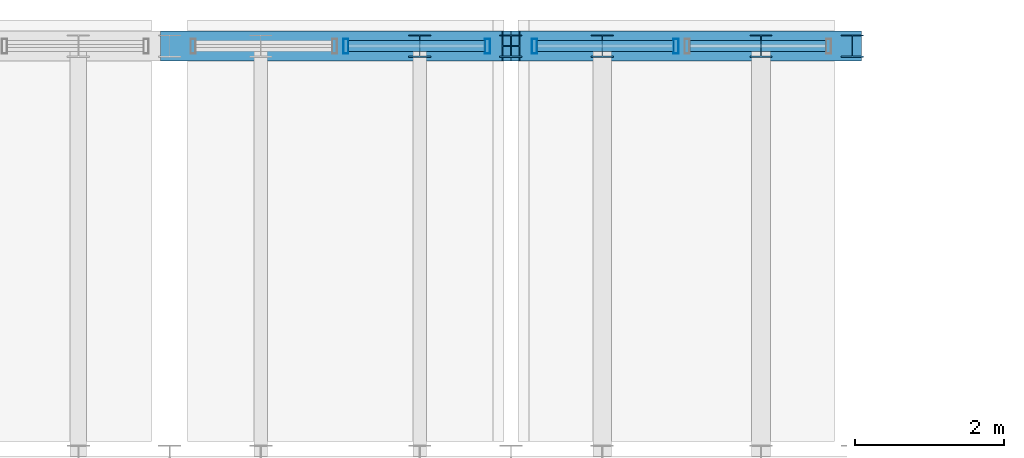
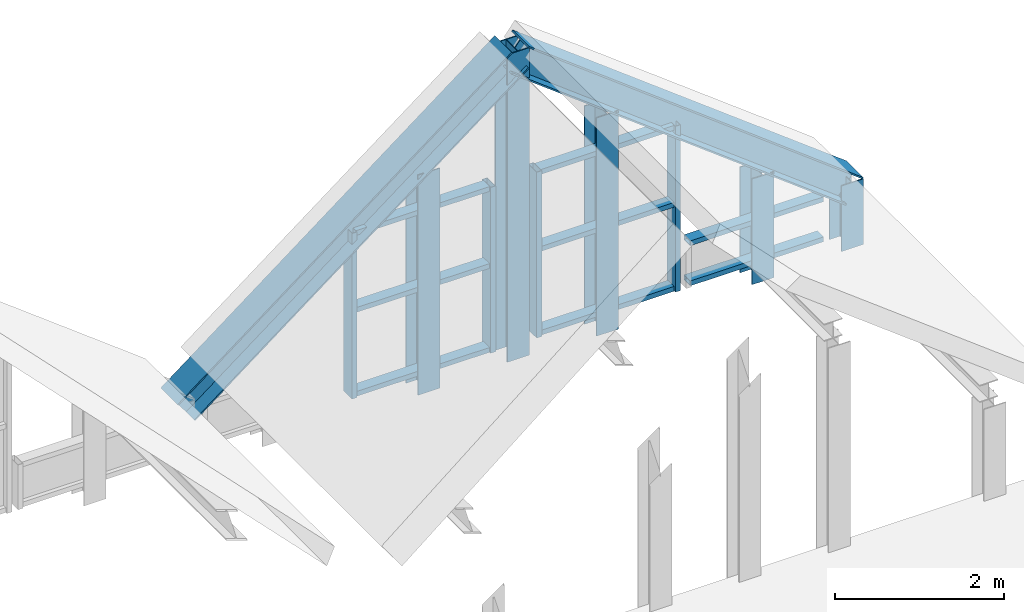
# One storey, part 11 of 21: 19 members, 3 elements without a shape of their own.
"""IFC4 building model written with IfcOpenShell, lengths in metres."""

from ifc_helpers import new_model, si_unit, direction, frame, origin, origin_2d, place, context, subcontext, project, spatial, hollow_rectangle, i_section, extrude, source, transform, mapped, material, layer, layer_set, material_profile, profile_set, type_object, element, aggregate, save


model = new_model("IFC4")

# Units and contexts
model_context = context("Model", 3, precision=1e-05, world=origin(), true_north=direction((0.0, 1.0)))
body_context = subcontext(model_context, "Body", "Model", "MODEL_VIEW")
ifc_project = project(units=[si_unit("LENGTHUNIT", "METRE"), si_unit("AREAUNIT", "SQUARE_METRE"), si_unit("VOLUMEUNIT", "CUBIC_METRE"), si_unit("PLANEANGLEUNIT", "RADIAN"), si_unit("MASSUNIT", "GRAM", prefix="KILO")], contexts=[model_context])

# Site, building, storey
site_placement = place(None, origin())
site = spatial("IfcSite", under=ifc_project, at=site_placement, CompositionType="ELEMENT")
building_placement = place(site_placement, origin())
building = spatial("IfcBuilding", under=site, at=building_placement, Name="Saelheon Loggia Tower", CompositionType="ELEMENT")
storey_placement = place(building_placement, frame((0.0, 0.0, 275.0)))
storey = spatial("IfcBuildingStorey", under=building, at=storey_placement, Name="ROOF", CompositionType="ELEMENT", Elevation=275.0)

# Members
ifc_material_1 = material(Name="Steel SM355", Category="steel")
ifc_material_profile_1 = material_profile(ifc_material_1, i_section(OverallWidth=0.300048828125, OverallDepth=0.300048828125, WebThickness=0.010009765625, FlangeThickness=0.014892578125, at=origin_2d()), Name="H-300x300x10x15")
ifc_profile_set_1 = profile_set([ifc_material_profile_1], Name="Steel SM355")
member_type_1 = type_object("IfcMemberType", Name="WaveCrest_Post_H300", PredefinedType="POST", material=ifc_profile_set_1)
shared_shape_1 = source(origin(), body_context, "Body", "SweptSolid", [
    extrude(i_section(OverallWidth=0.300048828125, OverallDepth=0.300048828125, WebThickness=0.010009765625, FlangeThickness=0.014892578125, at=origin_2d()), origin(), (0.0, 0.0, 1.0), 0.949951171875),
])
member_1_placement = place(storey_placement, frame((47.14990234375, 47.64990234375, -0.14990234375), z_axis=(0.0, 0.0, 1.0), x_axis=(1.0, 0.0, 0.0)))
element("IfcMember", 1, at=member_1_placement, inside=storey, type_object=member_type_1, Name="ROOF Wave Crest Outer Post N 04", PredefinedType="POST", context=body_context, shape_type="MappedRepresentation", body=[
    mapped(shared_shape_1, transform((0.0, 0.0, 0.0), scale=1.0)),
])
shared_shape_2 = source(origin(), body_context, "Body", "SweptSolid", [
    extrude(i_section(OverallWidth=0.300048828125, OverallDepth=0.300048828125, WebThickness=0.010009765625, FlangeThickness=0.014892578125, at=origin_2d()), origin(), (0.0, 0.0, 1.0), 4.449951171875),
])
member_2_placement = place(storey_placement, frame((42.574951171875, 47.64990234375, -0.14990234375), z_axis=(0.0, 0.0, 1.0), x_axis=(1.0, 0.0, 0.0)))
element("IfcMember", 2, at=member_2_placement, inside=storey, type_object=member_type_1, Name="ROOF Wave Crest Outer Post N 03", PredefinedType="POST", context=body_context, shape_type="MappedRepresentation", body=[
    mapped(shared_shape_2, transform((0.0, 0.0, 0.0), scale=1.0)),
])
ifc_material_profile_2 = material_profile(ifc_material_1, i_section(OverallWidth=0.300048828125, OverallDepth=0.300048828125, WebThickness=0.010009765625, FlangeThickness=0.014892578125, at=origin_2d()), Name="H-300x300x10x15")
ifc_profile_set_2 = profile_set([ifc_material_profile_2], Name="Steel SM355")
member_type_2 = type_object("IfcMemberType", Name="Belt_Post_H300", PredefinedType="POST", material=ifc_profile_set_2)
shared_shape_3 = source(origin(), body_context, "Body", "SweptSolid", [
    extrude(i_section(OverallWidth=0.300048828125, OverallDepth=0.300048828125, WebThickness=0.010009765625, FlangeThickness=0.014892578125, at=origin_2d()), origin(), (0.0, 0.0, 1.0), 3.185546875),
])
member_3_placement = place(storey_placement, frame((41.352294921875, 47.64990234375, -0.199951171875), z_axis=(0.0, 0.0, 1.0), x_axis=(1.0, 0.0, 0.0)))
element("IfcMember", 3, at=member_3_placement, inside=storey, type_object=member_type_2, Name="Crown Wave Roof Purlin Support Post 19 B O", PredefinedType="POST", context=body_context, shape_type="MappedRepresentation", body=[
    mapped(shared_shape_3, transform((0.0, 0.0, 0.0), scale=1.0)),
])
shared_shape_4 = source(origin(), body_context, "Body", "SweptSolid", [
    extrude(i_section(OverallWidth=0.300048828125, OverallDepth=0.300048828125, WebThickness=0.010009765625, FlangeThickness=0.014892578125, at=origin_2d()), origin(), (0.0, 0.0, 1.0), 3.15869140625),
])
member_4_placement = place(storey_placement, frame((43.7978515625, 47.64990234375, -0.199951171875), z_axis=(0.0, 0.0, 1.0), x_axis=(1.0, 0.0, 0.0)))
element("IfcMember", 4, at=member_4_placement, inside=storey, type_object=member_type_2, Name="Crown Wave Roof Purlin Support Post 20 A O", PredefinedType="POST", context=body_context, shape_type="MappedRepresentation", body=[
    mapped(shared_shape_4, transform((0.0, 0.0, 0.0), scale=1.0)),
])
shared_shape_5 = source(origin(), body_context, "Body", "SweptSolid", [
    extrude(i_section(OverallWidth=0.300048828125, OverallDepth=0.300048828125, WebThickness=0.010009765625, FlangeThickness=0.014892578125, at=origin_2d()), origin(), (0.0, 0.0, 1.0), 1.529541015625),
])
member_5_placement = place(storey_placement, frame((45.92724609375, 47.64990234375, -0.199951171875), z_axis=(0.0, 0.0, 1.0), x_axis=(1.0, 0.0, 0.0)))
element("IfcMember", 5, at=member_5_placement, inside=storey, type_object=member_type_2, Name="Crown Wave Roof Purlin Support Post 20 B O", PredefinedType="POST", context=body_context, shape_type="MappedRepresentation", body=[
    mapped(shared_shape_5, transform((0.0, 0.0, 0.0), scale=1.0)),
])
ifc_material_profile_3 = material_profile(ifc_material_1, i_section(OverallWidth=0.39990234375, OverallDepth=0.39990234375, WebThickness=0.012939453125, FlangeThickness=0.02099609375, at=origin_2d()), Name="H-400x400x13x21")
ifc_profile_set_3 = profile_set([ifc_material_profile_3], Name="Steel SM355")
member_type_3 = type_object("IfcMemberType", Name="CrownFrame_Brace_H400", PredefinedType="BRACE", material=ifc_profile_set_3)
shared_shape_6 = source(origin(), body_context, "Body", "SweptSolid", [
    extrude(i_section(OverallWidth=0.39990234375, OverallDepth=0.39990234375, WebThickness=0.012939453125, FlangeThickness=0.02099609375, at=origin_2d()), origin(), (0.0, 0.0, 1.0), 5.76025390625),
])
for number, where, z_axis, x_axis, name in (
    (6, (38.0, 47.64990234375, 0.699951171875), (0.794231497038, 0.0, 0.607615280513), (0.0, 1.0, 0.0), "ROOF CROWN FRAME Wave Crest Cap N 03"),
    (7, (42.574951171875, 47.64990234375, 4.199951171875), (0.794231497038, 0.0, -0.607615280513), (0.0, 1.0, 0.0), "ROOF CROWN FRAME Wave Crest Cap N 04"),
):
    element("IfcMember", number, at=place(storey_placement, frame(where, z_axis=z_axis, x_axis=x_axis)), inside=storey, type_object=member_type_3, Name=name, PredefinedType="BRACE", context=body_context, shape_type="MappedRepresentation", body=[
        mapped(shared_shape_6, transform((0.0, 0.0, 0.0), scale=1.0)),
    ])

# Curtain wall, members
ifc_material_2 = material(Name="Bronze-Anodised Aluminium and Fritted Ceramic Screen", Category="aluminium")
ifc_layer = layer(ifc_material_2, 0.219970703125)
ifc_layer_set = layer_set([ifc_layer], Name="Bronze-Anodised Aluminium and Fritted Ceramic Screen")
curtain_wall_type = type_object("IfcCurtainWallType", Name="CW_CrownScreen", PredefinedType="NOTDEFINED", material=ifc_layer_set)
curtain_wall_1_placement = place(storey_placement, origin())
curtain_wall_1 = element("IfcCurtainWall", 8, at=curtain_wall_1_placement, inside=storey, type_object=curtain_wall_type, Name="ROOF Wave Crest Curtain Wall N 03-2", PredefinedType="NOTDEFINED")
ifc_material_3 = material(Name="Bronze-Anodised Aluminium 6063-T6", Category="aluminium")
ifc_material_profile_4 = material_profile(ifc_material_3, hollow_rectangle(XDim=0.070068359375, YDim=0.199951171875, WallThickness=0.0048828125, at=origin_2d()), Name="RHS-200x70x5")
ifc_profile_set_4 = profile_set([ifc_material_profile_4], Name="Bronze-Anodised Aluminium 6063-T6")
member_type_4 = type_object("IfcMemberType", Name="CW_CrownScreen_Mullion", PredefinedType="MULLION", material=ifc_profile_set_4)
shared_shape_7 = source(origin(), body_context, "Body", "SweptSolid", [
    extrude(hollow_rectangle(XDim=0.070068359375, YDim=0.199951171875, WallThickness=0.0048828125, at=origin_2d()), origin(), (0.0, 0.0, 1.0), 2.39990234375),
])
member_6_placement = place(storey_placement, frame((40.362548828125, 47.64990234375, 0.02001953125), z_axis=(0.0, 0.0, 1.0), x_axis=(1.0, 0.0, 0.0)))
member_6 = element("IfcMember", 9, at=member_6_placement, type_object=member_type_4, Name="CW6 mullion 1", PredefinedType="MULLION", context=body_context, shape_type="MappedRepresentation", body=[
    mapped(shared_shape_7, transform((0.0, 0.0, 0.0), scale=1.0)),
])
member_7_placement = place(storey_placement, frame((42.260009765625, 47.64990234375, 0.02001953125), z_axis=(0.0, 0.0, 1.0), x_axis=(1.0, 0.0, 0.0)))
member_7 = element("IfcMember", 10, at=member_7_placement, type_object=member_type_4, Name="CW6 mullion 2", PredefinedType="MULLION", context=body_context, shape_type="MappedRepresentation", body=[
    mapped(shared_shape_7, transform((0.0, 0.0, 0.0), scale=1.0)),
])

curtain_wall_2_placement = place(storey_placement, origin())
curtain_wall_2 = element("IfcCurtainWall", 11, at=curtain_wall_2_placement, inside=storey, type_object=curtain_wall_type, Name="ROOF Wave Crest Curtain Wall N 04-1", PredefinedType="NOTDEFINED")
member_8_placement = place(storey_placement, frame((42.889892578125, 47.64990234375, 0.02001953125), z_axis=(0.0, 0.0, 1.0), x_axis=(1.0, 0.0, 0.0)))
member_8 = element("IfcMember", 12, at=member_8_placement, type_object=member_type_4, Name="CW6 mullion 1", PredefinedType="MULLION", context=body_context, shape_type="MappedRepresentation", body=[
    mapped(shared_shape_7, transform((0.0, 0.0, 0.0), scale=1.0)),
])
member_9_placement = place(storey_placement, frame((44.78759765625, 47.64990234375, 0.02001953125), z_axis=(0.0, 0.0, 1.0), x_axis=(1.0, 0.0, 0.0)))
member_9 = element("IfcMember", 13, at=member_9_placement, type_object=member_type_4, Name="CW6 mullion 2", PredefinedType="MULLION", context=body_context, shape_type="MappedRepresentation", body=[
    mapped(shared_shape_7, transform((0.0, 0.0, 0.0), scale=1.0)),
])

# Member
ifc_material_profile_5 = material_profile(ifc_material_3, hollow_rectangle(XDim=0.070068359375, YDim=0.14990234375, WallThickness=0.0048828125, at=origin_2d()), Name="RHS-150x70x5")
ifc_profile_set_5 = profile_set([ifc_material_profile_5], Name="Bronze-Anodised Aluminium 6063-T6")
member_type_5 = type_object("IfcMemberType", Name="CW_CrownScreen_Transom", PredefinedType="USERDEFINED", material=ifc_profile_set_5)
shared_shape_8 = source(origin(), body_context, "Body", "SweptSolid", [
    extrude(hollow_rectangle(XDim=0.070068359375, YDim=0.14990234375, WallThickness=0.0048828125, at=origin_2d()), origin(), (0.0, 0.0, 1.0), 1.82763671875),
])
member_10_placement = place(storey_placement, frame((40.3974609375, 47.64990234375, 0.054931640625), z_axis=(1.0, 0.0, 0.0), x_axis=(0.0, 0.0, 1.0)))
member_10 = element("IfcMember", 14, at=member_10_placement, type_object=member_type_5, Name="CW6 transom 1.1", ObjectType="TRANSOM", PredefinedType="USERDEFINED", context=body_context, shape_type="MappedRepresentation", body=[
    mapped(shared_shape_8, transform((0.0, 0.0, 0.0), scale=1.0)),
])

member_11_placement = place(storey_placement, frame((40.3974609375, 47.64990234375, 1.27001953125), z_axis=(1.0, 0.0, 0.0), x_axis=(0.0, 0.0, 1.0)))
member_11 = element("IfcMember", 15, at=member_11_placement, type_object=member_type_5, Name="CW6 transom 1.2", ObjectType="TRANSOM", PredefinedType="USERDEFINED", context=body_context, shape_type="MappedRepresentation", body=[
    mapped(shared_shape_8, transform((0.0, 0.0, 0.0), scale=1.0)),
])

member_12_placement = place(storey_placement, frame((40.3974609375, 47.64990234375, 2.385009765625), z_axis=(1.0, 0.0, 0.0), x_axis=(0.0, 0.0, 1.0)))
member_12 = element("IfcMember", 16, at=member_12_placement, type_object=member_type_5, Name="CW6 transom 1.3", ObjectType="TRANSOM", PredefinedType="USERDEFINED", context=body_context, shape_type="MappedRepresentation", body=[
    mapped(shared_shape_8, transform((0.0, 0.0, 0.0), scale=1.0)),
])

aggregate(curtain_wall_1, [member_6, member_7, member_10, member_11, member_12])

# Curtain wall, members
curtain_wall_3_placement = place(storey_placement, origin())
curtain_wall_3 = element("IfcCurtainWall", 17, at=curtain_wall_3_placement, inside=storey, type_object=curtain_wall_type, Name="ROOF Wave Crest Curtain Wall N 04-2", PredefinedType="NOTDEFINED")
member_13_placement = place(storey_placement, frame((44.972412109375, 47.64990234375, 0.054931640625), z_axis=(1.0, 0.0, 0.0), x_axis=(0.0, 0.0, 1.0)))
member_13 = element("IfcMember", 18, at=member_13_placement, type_object=member_type_5, Name="CW6 transom 1.1", ObjectType="TRANSOM", PredefinedType="USERDEFINED", context=body_context, shape_type="MappedRepresentation", body=[
    mapped(shared_shape_8, transform((0.0, 0.0, 0.0), scale=1.0)),
])
member_14_placement = place(storey_placement, frame((44.972412109375, 47.64990234375, 0.635009765625), z_axis=(1.0, 0.0, 0.0), x_axis=(0.0, 0.0, 1.0)))
member_14 = element("IfcMember", 19, at=member_14_placement, type_object=member_type_5, Name="CW6 transom 1.2", ObjectType="TRANSOM", PredefinedType="USERDEFINED", context=body_context, shape_type="MappedRepresentation", body=[
    mapped(shared_shape_8, transform((0.0, 0.0, 0.0), scale=1.0)),
])
aggregate(curtain_wall_3, [member_13, member_14])

# Member
shared_shape_9 = source(origin(), body_context, "Body", "SweptSolid", [
    extrude(hollow_rectangle(XDim=0.070068359375, YDim=0.14990234375, WallThickness=0.0048828125, at=origin_2d()), origin(), (0.0, 0.0, 1.0), 1.827392578125),
])
member_15_placement = place(storey_placement, frame((42.925048828125, 47.64990234375, 0.054931640625), z_axis=(1.0, 0.0, 0.0), x_axis=(0.0, 0.0, 1.0)))
member_15 = element("IfcMember", 20, at=member_15_placement, type_object=member_type_5, Name="CW6 transom 1.1", ObjectType="TRANSOM", PredefinedType="USERDEFINED", context=body_context, shape_type="MappedRepresentation", body=[
    mapped(shared_shape_9, transform((0.0, 0.0, 0.0), scale=1.0)),
])

member_16_placement = place(storey_placement, frame((42.925048828125, 47.64990234375, 1.27001953125), z_axis=(1.0, 0.0, 0.0), x_axis=(0.0, 0.0, 1.0)))
member_16 = element("IfcMember", 21, at=member_16_placement, type_object=member_type_5, Name="CW6 transom 1.2", ObjectType="TRANSOM", PredefinedType="USERDEFINED", context=body_context, shape_type="MappedRepresentation", body=[
    mapped(shared_shape_9, transform((0.0, 0.0, 0.0), scale=1.0)),
])

member_17_placement = place(storey_placement, frame((42.925048828125, 47.64990234375, 2.385009765625), z_axis=(1.0, 0.0, 0.0), x_axis=(0.0, 0.0, 1.0)))
member_17 = element("IfcMember", 22, at=member_17_placement, type_object=member_type_5, Name="CW6 transom 1.3", ObjectType="TRANSOM", PredefinedType="USERDEFINED", context=body_context, shape_type="MappedRepresentation", body=[
    mapped(shared_shape_9, transform((0.0, 0.0, 0.0), scale=1.0)),
])

aggregate(curtain_wall_2, [member_8, member_9, member_15, member_16, member_17])

save(model, "model.ifc")
